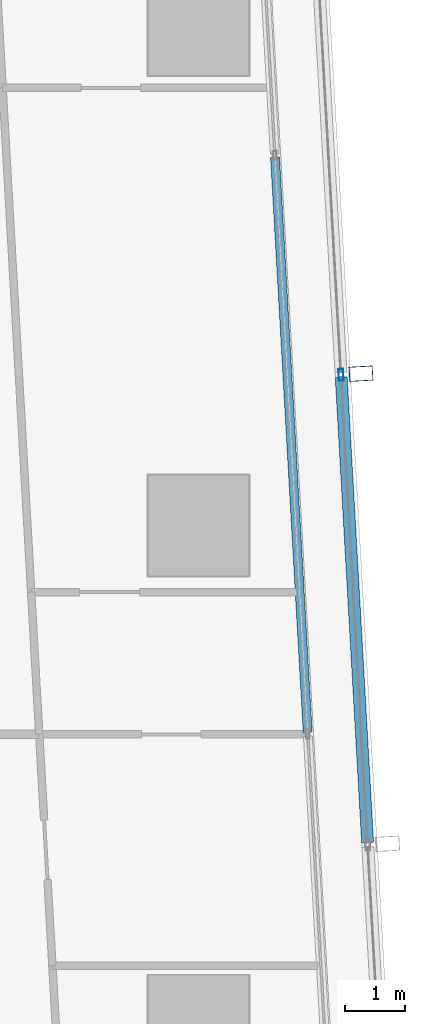
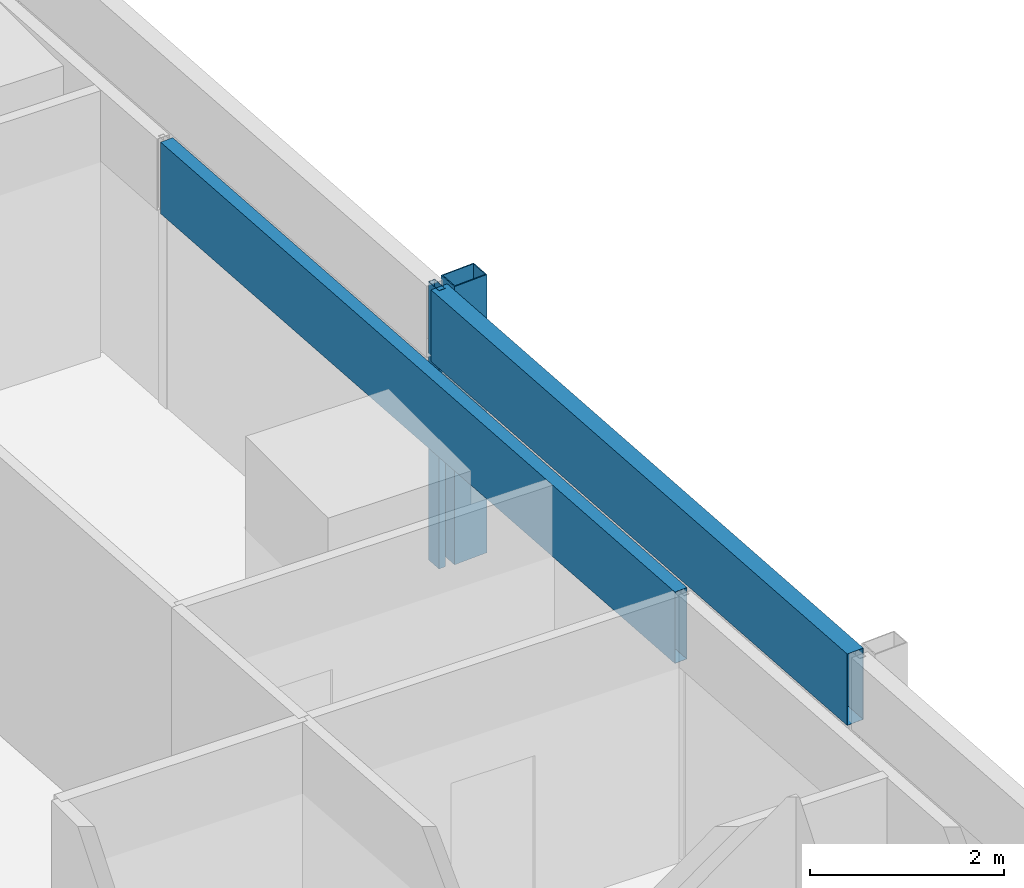
# One storey, part 15 of 39: 4 members, 2 elements without a shape of their own.
"""IFC4 building model written with IfcOpenShell, lengths in metres."""

from ifc_helpers import new_model, si_unit, direction, frame, origin, origin_2d, place, context, subcontext, project, spatial, hollow_rectangle, extrude, material, material_profile, profile_set, type_object, element, aggregate, save


model = new_model("IFC4")

# Units and contexts
model_context = context("Model", 3, precision=1e-05, world=origin(), true_north=direction((0.0, 1.0)))
body_context = subcontext(model_context, "Body", "Model", "MODEL_VIEW")
ifc_project = project(units=[si_unit("LENGTHUNIT", "METRE"), si_unit("AREAUNIT", "SQUARE_METRE"), si_unit("VOLUMEUNIT", "CUBIC_METRE"), si_unit("PLANEANGLEUNIT", "RADIAN"), si_unit("MASSUNIT", "GRAM", prefix="KILO")], contexts=[model_context])

# Site, building, storey
site_placement = place(None, origin())
site = spatial("IfcSite", under=ifc_project, at=site_placement, CompositionType="ELEMENT")
building_placement = place(site_placement, origin())
building = spatial("IfcBuilding", under=site, at=building_placement, Name="Rekha Terrace Tower", CompositionType="ELEMENT")
storey_placement = place(building_placement, frame((0.0, 0.0, 180.199951171875)))
storey = spatial("IfcBuildingStorey", under=building, at=storey_placement, Name="L45", CompositionType="ELEMENT", Elevation=180.199951171875)

# Curtain wall, member
ifc_material_1 = material(Name="Aluminium framing", Category="aluminium")
curtain_wall_type_1 = type_object("IfcCurtainWallType", Name="CW2 double skin outer glazing", PredefinedType="USERDEFINED", material=ifc_material_1)
curtain_wall_1_placement = place(storey_placement, origin())
curtain_wall_1 = element("IfcCurtainWall", 1, at=curtain_wall_1_placement, inside=storey, type_object=curtain_wall_type_1, Name="CW2 double skin outer glazing", ObjectType="DOUBLE SKIN OUTER GLAZING", PredefinedType="USERDEFINED")
ifc_material_2 = material(Name="Steel S355 with fluorocarbon finish", Category="steel")
ifc_material_profile_1 = material_profile(ifc_material_2, hollow_rectangle(XDim=0.25, YDim=0.39990234375, WallThickness=0.012451171875, at=origin_2d()), Name="RHS400x250x12.5")
ifc_profile_set_1 = profile_set([ifc_material_profile_1], Name="Steel S355 with fluorocarbon finish")
member_type_1 = type_object("IfcMemberType", Name="BL1 facade blade RHS 400 x 250", PredefinedType="USERDEFINED", material=ifc_profile_set_1)
member_1_placement = place(storey_placement, frame((61.528076171875, 44.546630859375, 0.0), z_axis=(0.0, 0.0, 1.0), x_axis=(-0.056673619809, 0.998392758797, 0.0)))
member_1 = element("IfcMember", 2, at=member_1_placement, type_object=member_type_1, Name="Facade blade", ObjectType="FACADE BLADE", PredefinedType="USERDEFINED", context=body_context, shape_type="SweptSolid", body=[
    extrude(hollow_rectangle(XDim=0.25, YDim=0.39990234375, WallThickness=0.012451171875, at=origin_2d()), origin(), (0.0, 0.0, 1.0), 3.5),
])

curtain_wall_type_2 = type_object("IfcCurtainWallType", Name="CW1 double skin inner glazing", PredefinedType="USERDEFINED", material=ifc_material_1)
curtain_wall_2_placement = place(storey_placement, origin())
curtain_wall_2 = element("IfcCurtainWall", 3, at=curtain_wall_2_placement, inside=storey, type_object=curtain_wall_type_2, Name="CW1 double skin inner glazing", ObjectType="DOUBLE SKIN INNER GLAZING", PredefinedType="USERDEFINED")
ifc_material_3 = material(Name="Insulated aluminium spandrel box", Category="aluminium")
ifc_material_profile_2 = material_profile(ifc_material_3, hollow_rectangle(XDim=0.14990234375, YDim=0.89990234375, WallThickness=0.0029296875, at=origin_2d()), Name="AL SPANDREL BOX 150x900")
ifc_profile_set_2 = profile_set([ifc_material_profile_2], Name="Insulated aluminium spandrel box")
member_type_2 = type_object("IfcMemberType", Name="CW1 spandrel transom 150 x 900", PredefinedType="USERDEFINED", material=ifc_profile_set_2)
member_2_placement = place(storey_placement, frame((60.6328125, 38.52734375, 3.050048828125), z_axis=(-0.056681484311, 0.998392312338, 0.0), x_axis=(-0.998392312338, -0.056681484311, 0.0)))
member_2 = element("IfcMember", 4, at=member_2_placement, type_object=member_type_2, Name="CW1 spandrel transom 2", ObjectType="TRANSOM", PredefinedType="USERDEFINED", context=body_context, shape_type="SweptSolid", body=[
    extrude(hollow_rectangle(XDim=0.14990234375, YDim=0.89990234375, WallThickness=0.0029296875, at=origin_2d()), origin(), (0.0, 0.0, 1.0), 9.66552734375),
])
aggregate(curtain_wall_2, [member_2])

# Member
ifc_material_4 = material(Name="Aluminium mullion section", Category="aluminium")
ifc_material_profile_3 = material_profile(ifc_material_4, hollow_rectangle(XDim=0.080078125, YDim=0.199951171875, WallThickness=0.00390625, at=origin_2d()), Name="AL RHS 80x200")
ifc_profile_set_3 = profile_set([ifc_material_profile_3], Name="Aluminium mullion section")
member_type_3 = type_object("IfcMemberType", Name="CW2 mullion RHS 80 x 200", PredefinedType="MULLION", material=ifc_profile_set_3)
member_3_placement = place(storey_placement, frame((61.193603515625, 44.527587890625, 0.0), z_axis=(0.0, 0.0, 1.0), x_axis=(-0.998392782919, -0.05667319486, 0.0)))
member_3 = element("IfcMember", 5, at=member_3_placement, type_object=member_type_3, Name="CW2 mullion 3", PredefinedType="MULLION", context=body_context, shape_type="SweptSolid", body=[
    extrude(hollow_rectangle(XDim=0.080078125, YDim=0.199951171875, WallThickness=0.00390625, at=origin_2d()), origin(), (0.0, 0.0, 1.0), 3.5),
])

ifc_material_profile_4 = material_profile(ifc_material_3, hollow_rectangle(XDim=0.199951171875, YDim=0.89990234375, WallThickness=0.0029296875, at=origin_2d()), Name="AL SPANDREL BOX 200x900")
ifc_profile_set_4 = profile_set([ifc_material_profile_4], Name="Insulated aluminium spandrel box")
member_type_4 = type_object("IfcMemberType", Name="CW2 spandrel transom 200 x 900", PredefinedType="USERDEFINED", material=ifc_profile_set_4)
member_4_placement = place(storey_placement, frame((61.63916015625, 36.6767578125, 3.050048828125), z_axis=(-0.056669428082, 0.998392996731, 0.0), x_axis=(-0.998392996731, -0.056669428082, 0.0)))
member_4 = element("IfcMember", 6, at=member_4_placement, type_object=member_type_4, Name="CW2 spandrel transom 2", ObjectType="TRANSOM", PredefinedType="USERDEFINED", context=body_context, shape_type="SweptSolid", body=[
    extrude(hollow_rectangle(XDim=0.199951171875, YDim=0.89990234375, WallThickness=0.0029296875, at=origin_2d()), origin(), (0.0, 0.0, 1.0), 7.823486328125),
])

aggregate(curtain_wall_1, [member_3, member_4, member_1])

save(model, "model.ifc")
